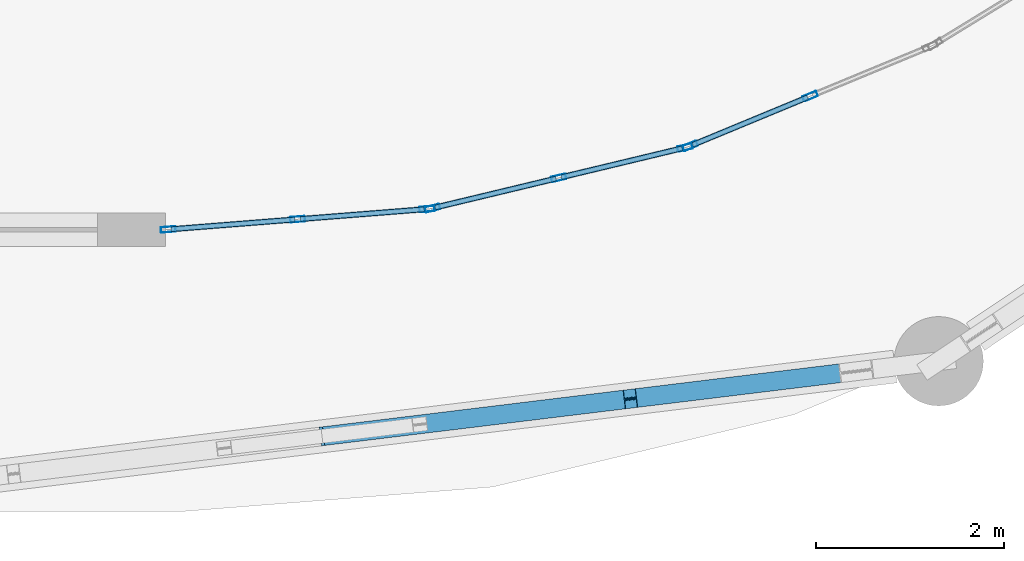
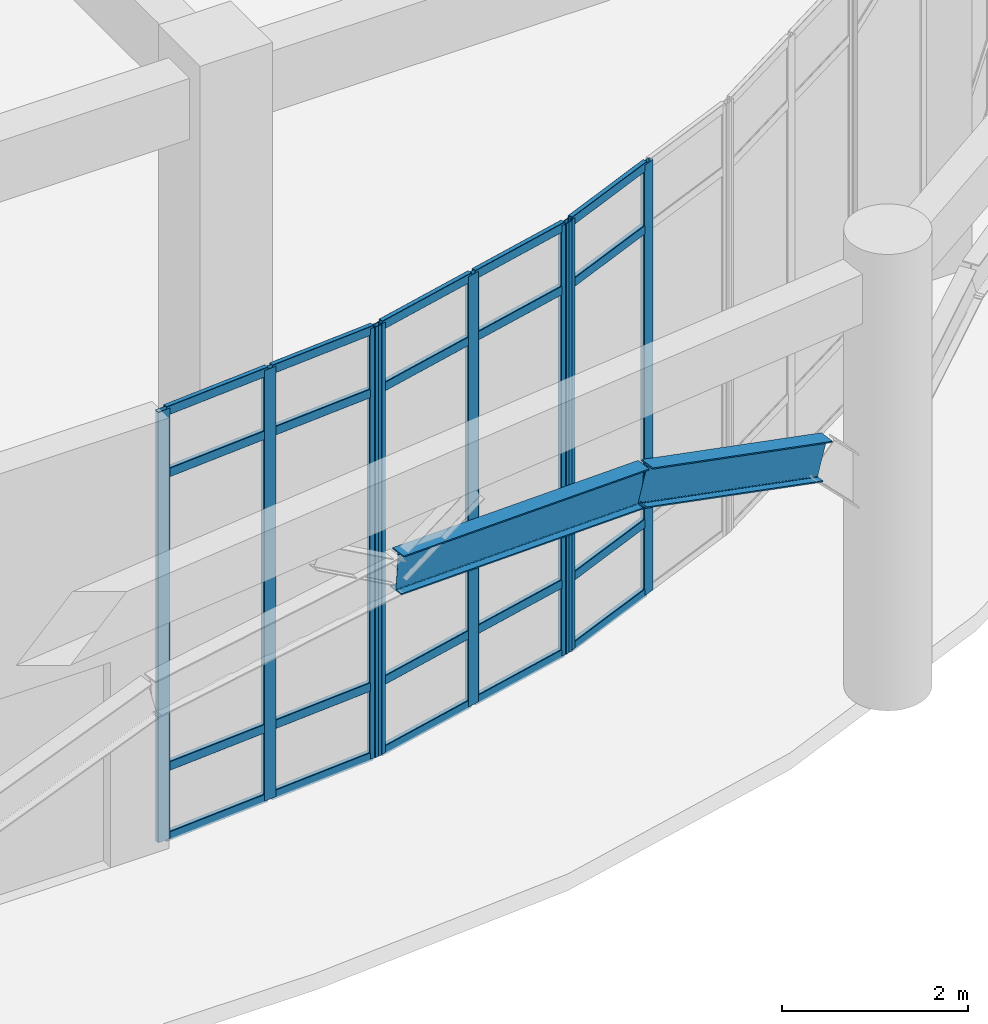
# One storey, part 27 of 82: 28 members, 2 beams, 3 elements without a shape of their own.
"""IFC4 building model written with IfcOpenShell, lengths in metres."""

from ifc_helpers import new_model, si_unit, derived_unit, direction, frame, origin, origin_2d, place, context, subcontext, project, spatial, hollow_rectangle, i_section, extrude, material, layer, layer_set, material_profile, profile_set, type_object, element, aggregate, save


model = new_model("IFC4")

# Units and contexts
model_context = context("Model", 3, precision=1e-05, world=origin(), true_north=direction((0.0, 1.0)))
body_context = subcontext(model_context, "Body", "Model", "MODEL_VIEW")
ifc_project = project(units=[si_unit("LENGTHUNIT", "METRE"), si_unit("AREAUNIT", "SQUARE_METRE"), si_unit("VOLUMEUNIT", "CUBIC_METRE"), si_unit("PLANEANGLEUNIT", "RADIAN"), si_unit("MASSUNIT", "GRAM", prefix="KILO"), derived_unit("THERMALTRANSMITTANCEUNIT", [(si_unit("MASSUNIT", "GRAM", prefix="KILO"), 1), (si_unit("TIMEUNIT", "SECOND"), -3), (si_unit("THERMODYNAMICTEMPERATUREUNIT", "KELVIN"), -1)])], contexts=[model_context])

# Site, building, storey
site_placement = place(None, origin())
site = spatial("IfcSite", under=ifc_project, at=site_placement, CompositionType="ELEMENT")
building_placement = place(site_placement, origin())
building = spatial("IfcBuilding", under=site, at=building_placement, Name="Qinzheling Arcade Emporium", CompositionType="ELEMENT")
storey_placement = place(building_placement, origin())
storey = spatial("IfcBuildingStorey", under=building, at=storey_placement, Name="L01", CompositionType="ELEMENT", Elevation=0.0)

# Beams
ifc_material_1 = material(Name="Weathering steel Q355NH", Category="steel")
ifc_material_profile_1 = material_profile(ifc_material_1, i_section(OverallWidth=0.199951171875, OverallDepth=0.5, WebThickness=0.010009765625, FlangeThickness=0.01611328125, FilletRadius=0.01806640625, at=origin_2d()), Name="HN 500x200x10x16", Category="steel")
ifc_profile_set_1 = profile_set([ifc_material_profile_1], Name="Weathering steel Q355NH")
beam_type = type_object("IfcBeamType", Name="Arcade End Arch Rib HN500 Q355NH", PredefinedType="BEAM", material=ifc_profile_set_1)
beam_1_placement = place(storey_placement, frame((154.468017578125, 0.799072265625, 4.284912109375), z_axis=(0.989958565699, 0.120552533686, -0.073818187599), x_axis=(-0.120882335048, 0.99266684294, 0.0)))
element("IfcBeam", 1, at=beam_1_placement, inside=storey, type_object=beam_type, Name="Curved Arcade Entrance Arch ARC-L01-CV4-B01-C04", PredefinedType="BEAM", context=body_context, shape_type="SweptSolid", body=[
    extrude(i_section(OverallWidth=0.199951171875, OverallDepth=0.5, WebThickness=0.010009765625, FlangeThickness=0.01611328125, FilletRadius=0.01806640625, at=origin_2d()), origin(), (0.0, 0.0, 1.0), 3.317138671875),
])
beam_2_placement = place(storey_placement, frame((157.751953125, 1.198974609375, 4.0400390625), z_axis=(0.956925877646, 0.116615319709, -0.265882928937), x_axis=(-0.120969580346, 0.992656214724, 0.0)))
element("IfcBeam", 2, at=beam_2_placement, inside=storey, type_object=beam_type, Name="Curved Arcade Entrance Arch ARC-L01-CV4-B01-C05", PredefinedType="BEAM", context=body_context, shape_type="SweptSolid", body=[
    extrude(i_section(OverallWidth=0.199951171875, OverallDepth=0.5, WebThickness=0.010009765625, FlangeThickness=0.01611328125, FilletRadius=0.01806640625, at=origin_2d()), origin(), (0.0, 0.0, 1.0), 2.51220703125),
])

# Curtain wall, members
ifc_material_2 = material(Name="Anodised aluminium and solar-control double glazing", Category="aluminium")
ifc_layer_1 = layer(ifc_material_2, 0.159912109375, Name="Anodised aluminium and solar-control double glazing", Category="aluminium")
ifc_layer_set_1 = layer_set([ifc_layer_1], Name="Anodised aluminium and solar-control double glazing")
curtain_wall_type_1 = type_object("IfcCurtainWallType", Name="Curved Ribbon Sales Curtain Wall", PredefinedType="NOTDEFINED", material=ifc_layer_set_1)
curtain_wall_1_placement = place(storey_placement, origin())
curtain_wall_1 = element("IfcCurtainWall", 3, at=curtain_wall_1_placement, inside=storey, type_object=curtain_wall_type_1, Name="Curtain Wall CW-L01-007", PredefinedType="NOTDEFINED")
ifc_material_3 = material(Name="Anodised aluminium 6063-T6", Category="aluminium")
ifc_material_profile_2 = material_profile(ifc_material_3, hollow_rectangle(XDim=0.06005859375, YDim=0.159912109375, WallThickness=0.00390625, InnerFilletRadius=0.00390625, OuterFilletRadius=0.008056640625, at=origin_2d()), Name="RHS 160x60x4", Category="aluminium")
ifc_profile_set_2 = profile_set([ifc_material_profile_2], Name="Anodised aluminium 6063-T6")
member_type_1 = type_object("IfcMemberType", Name="Curtain Wall Mullion RHS160x60", PredefinedType="MULLION", material=ifc_profile_set_2)
member_1_placement = place(storey_placement, frame((159.6669921875, 4.42138671875, 0.0), z_axis=(0.0, 0.0, 1.0), x_axis=(0.382654004198, -0.923891721508, 0.0)))
member_1 = element("IfcMember", 4, at=member_1_placement, type_object=member_type_1, Name="CW02 mullion 2", PredefinedType="MULLION", context=body_context, shape_type="SweptSolid", body=[
    extrude(hollow_rectangle(XDim=0.06005859375, YDim=0.159912109375, WallThickness=0.00390625, InnerFilletRadius=0.00390625, OuterFilletRadius=0.008056640625, at=origin_2d()), origin(), (0.0, 0.0, 1.0), 5.659912109375),
])
member_2_placement = place(storey_placement, frame((158.3896484375, 3.892578125, 0.0), z_axis=(0.0, 0.0, 1.0), x_axis=(0.382654004198, -0.923891721508, 0.0)))
member_2 = element("IfcMember", 5, at=member_2_placement, type_object=member_type_1, Name="CW02 mullion 3", PredefinedType="MULLION", context=body_context, shape_type="SweptSolid", body=[
    extrude(hollow_rectangle(XDim=0.06005859375, YDim=0.159912109375, WallThickness=0.00390625, InnerFilletRadius=0.00390625, OuterFilletRadius=0.008056640625, at=origin_2d()), origin(), (0.0, 0.0, 1.0), 5.659912109375),
])

curtain_wall_2_placement = place(storey_placement, origin())
curtain_wall_2 = element("IfcCurtainWall", 6, at=curtain_wall_2_placement, inside=storey, type_object=curtain_wall_type_1, Name="Curtain Wall CW-L01-008", PredefinedType="NOTDEFINED")
member_3_placement = place(storey_placement, frame((158.332763671875, 3.8740234375, 0.0), z_axis=(0.0, 0.0, 1.0), x_axis=(0.233359559423, -0.972390516216, 0.0)))
member_3 = element("IfcMember", 7, at=member_3_placement, type_object=member_type_1, Name="CW02 mullion 1", PredefinedType="MULLION", context=body_context, shape_type="SweptSolid", body=[
    extrude(hollow_rectangle(XDim=0.06005859375, YDim=0.159912109375, WallThickness=0.00390625, InnerFilletRadius=0.00390625, OuterFilletRadius=0.008056640625, at=origin_2d()), origin(), (0.0, 0.0, 1.0), 5.659912109375),
])
member_4_placement = place(storey_placement, frame((156.989013671875, 3.551513671875, 0.0), z_axis=(0.0, 0.0, 1.0), x_axis=(0.233359559423, -0.972390516216, 0.0)))
member_4 = element("IfcMember", 8, at=member_4_placement, type_object=member_type_1, Name="CW02 mullion 2", PredefinedType="MULLION", context=body_context, shape_type="SweptSolid", body=[
    extrude(hollow_rectangle(XDim=0.06005859375, YDim=0.159912109375, WallThickness=0.00390625, InnerFilletRadius=0.00390625, OuterFilletRadius=0.008056640625, at=origin_2d()), origin(), (0.0, 0.0, 1.0), 5.659912109375),
])
member_5_placement = place(storey_placement, frame((155.645263671875, 3.22900390625, 0.0), z_axis=(0.0, 0.0, 1.0), x_axis=(0.233359559423, -0.972390516216, 0.0)))
member_5 = element("IfcMember", 9, at=member_5_placement, type_object=member_type_1, Name="CW02 mullion 3", PredefinedType="MULLION", context=body_context, shape_type="SweptSolid", body=[
    extrude(hollow_rectangle(XDim=0.06005859375, YDim=0.159912109375, WallThickness=0.00390625, InnerFilletRadius=0.00390625, OuterFilletRadius=0.008056640625, at=origin_2d()), origin(), (0.0, 0.0, 1.0), 5.659912109375),
])

ifc_layer_2 = layer(ifc_material_2, 0.159912109375, Name="Anodised aluminium and solar-control double glazing", Category="aluminium")
ifc_layer_set_2 = layer_set([ifc_layer_2], Name="Anodised aluminium and solar-control double glazing")
curtain_wall_type_2 = type_object("IfcCurtainWallType", Name="Food Hall Loggia Curtain Wall", PredefinedType="NOTDEFINED", material=ifc_layer_set_2)
curtain_wall_3_placement = place(storey_placement, origin())
curtain_wall_3 = element("IfcCurtainWall", 10, at=curtain_wall_3_placement, inside=storey, type_object=curtain_wall_type_2, Name="Curtain Wall CW-L01-009", PredefinedType="NOTDEFINED")
member_6_placement = place(storey_placement, frame((155.586181640625, 3.2197265625, 0.0), z_axis=(0.0, 0.0, 1.0), x_axis=(0.078591383114, -0.996906913659, 0.0)))
member_6 = element("IfcMember", 11, at=member_6_placement, type_object=member_type_1, Name="CW04 mullion 1", PredefinedType="MULLION", context=body_context, shape_type="SweptSolid", body=[
    extrude(hollow_rectangle(XDim=0.06005859375, YDim=0.159912109375, WallThickness=0.00390625, InnerFilletRadius=0.00390625, OuterFilletRadius=0.008056640625, at=origin_2d()), origin(), (0.0, 0.0, 1.0), 5.659912109375),
])
member_7_placement = place(storey_placement, frame((154.2080078125, 3.111083984375, 0.0), z_axis=(0.0, 0.0, 1.0), x_axis=(0.078591383114, -0.996906913659, 0.0)))
member_7 = element("IfcMember", 12, at=member_7_placement, type_object=member_type_1, Name="CW04 mullion 2", PredefinedType="MULLION", context=body_context, shape_type="SweptSolid", body=[
    extrude(hollow_rectangle(XDim=0.06005859375, YDim=0.159912109375, WallThickness=0.00390625, InnerFilletRadius=0.00390625, OuterFilletRadius=0.008056640625, at=origin_2d()), origin(), (0.0, 0.0, 1.0), 5.659912109375),
])
member_8_placement = place(storey_placement, frame((152.829833984375, 3.00244140625, 0.0), z_axis=(0.0, 0.0, 1.0), x_axis=(0.078591383114, -0.996906913659, 0.0)))
member_8 = element("IfcMember", 13, at=member_8_placement, type_object=member_type_1, Name="CW04 mullion 3", PredefinedType="MULLION", context=body_context, shape_type="SweptSolid", body=[
    extrude(hollow_rectangle(XDim=0.06005859375, YDim=0.159912109375, WallThickness=0.00390625, InnerFilletRadius=0.00390625, OuterFilletRadius=0.008056640625, at=origin_2d()), origin(), (0.0, 0.0, 1.0), 5.659912109375),
])

# Member
ifc_material_profile_3 = material_profile(ifc_material_3, hollow_rectangle(XDim=0.06005859375, YDim=0.1201171875, WallThickness=0.00390625, InnerFilletRadius=0.00390625, OuterFilletRadius=0.008056640625, at=origin_2d()), Name="RHS 120x60x4", Category="aluminium")
ifc_profile_set_3 = profile_set([ifc_material_profile_3], Name="Anodised aluminium 6063-T6")
member_type_2 = type_object("IfcMemberType", Name="Curtain Wall Transom RHS120x60", PredefinedType="USERDEFINED", material=ifc_profile_set_3)
member_9_placement = place(storey_placement, frame((159.639404296875, 4.409912109375, 0.030029296875), z_axis=(-0.923953847635, -0.38250397049, 0.0), x_axis=(0.38250397049, -0.923953847635, 0.0)))
member_9 = element("IfcMember", 14, at=member_9_placement, type_object=member_type_2, Name="CW02 transom 2.1", ObjectType="TRANSOM", PredefinedType="USERDEFINED", context=body_context, shape_type="SweptSolid", body=[
    extrude(hollow_rectangle(XDim=0.06005859375, YDim=0.1201171875, WallThickness=0.00390625, InnerFilletRadius=0.00390625, OuterFilletRadius=0.008056640625, at=origin_2d()), origin(), (0.0, 0.0, 1.0), 1.322509765625),
])

member_10_placement = place(storey_placement, frame((159.639404296875, 4.409912109375, 0.949951171875), z_axis=(-0.923953847635, -0.38250397049, 0.0), x_axis=(0.38250397049, -0.923953847635, 0.0)))
member_10 = element("IfcMember", 15, at=member_10_placement, type_object=member_type_2, Name="CW02 transom 2.2", ObjectType="TRANSOM", PredefinedType="USERDEFINED", context=body_context, shape_type="SweptSolid", body=[
    extrude(hollow_rectangle(XDim=0.06005859375, YDim=0.1201171875, WallThickness=0.00390625, InnerFilletRadius=0.00390625, OuterFilletRadius=0.008056640625, at=origin_2d()), origin(), (0.0, 0.0, 1.0), 1.322509765625),
])

member_11_placement = place(storey_placement, frame((159.639404296875, 4.409912109375, 4.81005859375), z_axis=(-0.923953847635, -0.38250397049, 0.0), x_axis=(0.38250397049, -0.923953847635, 0.0)))
member_11 = element("IfcMember", 16, at=member_11_placement, type_object=member_type_2, Name="CW02 transom 2.3", ObjectType="TRANSOM", PredefinedType="USERDEFINED", context=body_context, shape_type="SweptSolid", body=[
    extrude(hollow_rectangle(XDim=0.06005859375, YDim=0.1201171875, WallThickness=0.00390625, InnerFilletRadius=0.00390625, OuterFilletRadius=0.008056640625, at=origin_2d()), origin(), (0.0, 0.0, 1.0), 1.322509765625),
])

member_12_placement = place(storey_placement, frame((159.639404296875, 4.409912109375, 5.6298828125), z_axis=(-0.923953847635, -0.38250397049, 0.0), x_axis=(0.38250397049, -0.923953847635, 0.0)))
member_12 = element("IfcMember", 17, at=member_12_placement, type_object=member_type_2, Name="CW02 transom 2.4", ObjectType="TRANSOM", PredefinedType="USERDEFINED", context=body_context, shape_type="SweptSolid", body=[
    extrude(hollow_rectangle(XDim=0.06005859375, YDim=0.1201171875, WallThickness=0.00390625, InnerFilletRadius=0.00390625, OuterFilletRadius=0.008056640625, at=origin_2d()), origin(), (0.0, 0.0, 1.0), 1.322509765625),
])

aggregate(curtain_wall_1, [member_1, member_2, member_9, member_10, member_11, member_12])

member_13_placement = place(storey_placement, frame((158.3037109375, 3.866943359375, 0.030029296875), z_axis=(-0.972422490965, -0.233226282964, 0.0), x_axis=(0.233226282964, -0.972422490965, 0.0)))
member_13 = element("IfcMember", 18, at=member_13_placement, type_object=member_type_2, Name="CW02 transom 1.1", ObjectType="TRANSOM", PredefinedType="USERDEFINED", context=body_context, shape_type="SweptSolid", body=[
    extrude(hollow_rectangle(XDim=0.06005859375, YDim=0.1201171875, WallThickness=0.00390625, InnerFilletRadius=0.00390625, OuterFilletRadius=0.008056640625, at=origin_2d()), origin(), (0.0, 0.0, 1.0), 1.322021484375),
])

member_14_placement = place(storey_placement, frame((158.3037109375, 3.866943359375, 0.949951171875), z_axis=(-0.972422490965, -0.233226282964, 0.0), x_axis=(0.233226282964, -0.972422490965, 0.0)))
member_14 = element("IfcMember", 19, at=member_14_placement, type_object=member_type_2, Name="CW02 transom 1.2", ObjectType="TRANSOM", PredefinedType="USERDEFINED", context=body_context, shape_type="SweptSolid", body=[
    extrude(hollow_rectangle(XDim=0.06005859375, YDim=0.1201171875, WallThickness=0.00390625, InnerFilletRadius=0.00390625, OuterFilletRadius=0.008056640625, at=origin_2d()), origin(), (0.0, 0.0, 1.0), 1.322021484375),
])

member_15_placement = place(storey_placement, frame((158.3037109375, 3.866943359375, 4.81005859375), z_axis=(-0.972422490965, -0.233226282964, 0.0), x_axis=(0.233226282964, -0.972422490965, 0.0)))
member_15 = element("IfcMember", 20, at=member_15_placement, type_object=member_type_2, Name="CW02 transom 1.3", ObjectType="TRANSOM", PredefinedType="USERDEFINED", context=body_context, shape_type="SweptSolid", body=[
    extrude(hollow_rectangle(XDim=0.06005859375, YDim=0.1201171875, WallThickness=0.00390625, InnerFilletRadius=0.00390625, OuterFilletRadius=0.008056640625, at=origin_2d()), origin(), (0.0, 0.0, 1.0), 1.322021484375),
])

member_16_placement = place(storey_placement, frame((158.3037109375, 3.866943359375, 5.6298828125), z_axis=(-0.972422490965, -0.233226282964, 0.0), x_axis=(0.233226282964, -0.972422490965, 0.0)))
member_16 = element("IfcMember", 21, at=member_16_placement, type_object=member_type_2, Name="CW02 transom 1.4", ObjectType="TRANSOM", PredefinedType="USERDEFINED", context=body_context, shape_type="SweptSolid", body=[
    extrude(hollow_rectangle(XDim=0.06005859375, YDim=0.1201171875, WallThickness=0.00390625, InnerFilletRadius=0.00390625, OuterFilletRadius=0.008056640625, at=origin_2d()), origin(), (0.0, 0.0, 1.0), 1.322021484375),
])

member_17_placement = place(storey_placement, frame((156.959716796875, 3.54443359375, 0.030029296875), z_axis=(-0.97241244374, -0.233268170265, 0.0), x_axis=(0.233268170265, -0.97241244374, 0.0)))
member_17 = element("IfcMember", 22, at=member_17_placement, type_object=member_type_2, Name="CW02 transom 2.1", ObjectType="TRANSOM", PredefinedType="USERDEFINED", context=body_context, shape_type="SweptSolid", body=[
    extrude(hollow_rectangle(XDim=0.06005859375, YDim=0.1201171875, WallThickness=0.00390625, InnerFilletRadius=0.00390625, OuterFilletRadius=0.008056640625, at=origin_2d()), origin(), (0.0, 0.0, 1.0), 1.32177734375),
])

member_18_placement = place(storey_placement, frame((156.959716796875, 3.54443359375, 0.949951171875), z_axis=(-0.97241244374, -0.233268170265, 0.0), x_axis=(0.233268170265, -0.97241244374, 0.0)))
member_18 = element("IfcMember", 23, at=member_18_placement, type_object=member_type_2, Name="CW02 transom 2.2", ObjectType="TRANSOM", PredefinedType="USERDEFINED", context=body_context, shape_type="SweptSolid", body=[
    extrude(hollow_rectangle(XDim=0.06005859375, YDim=0.1201171875, WallThickness=0.00390625, InnerFilletRadius=0.00390625, OuterFilletRadius=0.008056640625, at=origin_2d()), origin(), (0.0, 0.0, 1.0), 1.32177734375),
])

member_19_placement = place(storey_placement, frame((156.959716796875, 3.54443359375, 4.81005859375), z_axis=(-0.97241244374, -0.233268170265, 0.0), x_axis=(0.233268170265, -0.97241244374, 0.0)))
member_19 = element("IfcMember", 24, at=member_19_placement, type_object=member_type_2, Name="CW02 transom 2.3", ObjectType="TRANSOM", PredefinedType="USERDEFINED", context=body_context, shape_type="SweptSolid", body=[
    extrude(hollow_rectangle(XDim=0.06005859375, YDim=0.1201171875, WallThickness=0.00390625, InnerFilletRadius=0.00390625, OuterFilletRadius=0.008056640625, at=origin_2d()), origin(), (0.0, 0.0, 1.0), 1.32177734375),
])

member_20_placement = place(storey_placement, frame((156.959716796875, 3.54443359375, 5.6298828125), z_axis=(-0.97241244374, -0.233268170265, 0.0), x_axis=(0.233268170265, -0.97241244374, 0.0)))
member_20 = element("IfcMember", 25, at=member_20_placement, type_object=member_type_2, Name="CW02 transom 2.4", ObjectType="TRANSOM", PredefinedType="USERDEFINED", context=body_context, shape_type="SweptSolid", body=[
    extrude(hollow_rectangle(XDim=0.06005859375, YDim=0.1201171875, WallThickness=0.00390625, InnerFilletRadius=0.00390625, OuterFilletRadius=0.008056640625, at=origin_2d()), origin(), (0.0, 0.0, 1.0), 1.32177734375),
])

aggregate(curtain_wall_2, [member_3, member_4, member_5, member_13, member_14, member_15, member_16, member_17, member_18, member_19, member_20])

member_21_placement = place(storey_placement, frame((155.55615234375, 3.21728515625, 0.030029296875), z_axis=(-0.996902720967, -0.078644547987, 0.0), x_axis=(0.078644547987, -0.996902720967, 0.0)))
member_21 = element("IfcMember", 26, at=member_21_placement, type_object=member_type_2, Name="CW04 transom 1.1", ObjectType="TRANSOM", PredefinedType="USERDEFINED", context=body_context, shape_type="SweptSolid", body=[
    extrude(hollow_rectangle(XDim=0.06005859375, YDim=0.1201171875, WallThickness=0.00390625, InnerFilletRadius=0.00390625, OuterFilletRadius=0.008056640625, at=origin_2d()), origin(), (0.0, 0.0, 1.0), 1.322509765625),
])

member_22_placement = place(storey_placement, frame((155.55615234375, 3.21728515625, 0.949951171875), z_axis=(-0.996902720967, -0.078644547987, 0.0), x_axis=(0.078644547987, -0.996902720967, 0.0)))
member_22 = element("IfcMember", 27, at=member_22_placement, type_object=member_type_2, Name="CW04 transom 1.2", ObjectType="TRANSOM", PredefinedType="USERDEFINED", context=body_context, shape_type="SweptSolid", body=[
    extrude(hollow_rectangle(XDim=0.06005859375, YDim=0.1201171875, WallThickness=0.00390625, InnerFilletRadius=0.00390625, OuterFilletRadius=0.008056640625, at=origin_2d()), origin(), (0.0, 0.0, 1.0), 1.322509765625),
])

member_23_placement = place(storey_placement, frame((155.55615234375, 3.21728515625, 4.81005859375), z_axis=(-0.996902720967, -0.078644547987, 0.0), x_axis=(0.078644547987, -0.996902720967, 0.0)))
member_23 = element("IfcMember", 28, at=member_23_placement, type_object=member_type_2, Name="CW04 transom 1.3", ObjectType="TRANSOM", PredefinedType="USERDEFINED", context=body_context, shape_type="SweptSolid", body=[
    extrude(hollow_rectangle(XDim=0.06005859375, YDim=0.1201171875, WallThickness=0.00390625, InnerFilletRadius=0.00390625, OuterFilletRadius=0.008056640625, at=origin_2d()), origin(), (0.0, 0.0, 1.0), 1.322509765625),
])

member_24_placement = place(storey_placement, frame((155.55615234375, 3.21728515625, 5.6298828125), z_axis=(-0.996902720967, -0.078644547987, 0.0), x_axis=(0.078644547987, -0.996902720967, 0.0)))
member_24 = element("IfcMember", 29, at=member_24_placement, type_object=member_type_2, Name="CW04 transom 1.4", ObjectType="TRANSOM", PredefinedType="USERDEFINED", context=body_context, shape_type="SweptSolid", body=[
    extrude(hollow_rectangle(XDim=0.06005859375, YDim=0.1201171875, WallThickness=0.00390625, InnerFilletRadius=0.00390625, OuterFilletRadius=0.008056640625, at=origin_2d()), origin(), (0.0, 0.0, 1.0), 1.322509765625),
])

member_25_placement = place(storey_placement, frame((154.177978515625, 3.108642578125, 0.030029296875), z_axis=(-0.996901578836, -0.078659024372, 0.0), x_axis=(0.078659024372, -0.996901578836, 0.0)))
member_25 = element("IfcMember", 30, at=member_25_placement, type_object=member_type_2, Name="CW04 transom 2.1", ObjectType="TRANSOM", PredefinedType="USERDEFINED", context=body_context, shape_type="SweptSolid", body=[
    extrude(hollow_rectangle(XDim=0.06005859375, YDim=0.1201171875, WallThickness=0.00390625, InnerFilletRadius=0.00390625, OuterFilletRadius=0.008056640625, at=origin_2d()), origin(), (0.0, 0.0, 1.0), 1.322265625),
])

member_26_placement = place(storey_placement, frame((154.177978515625, 3.108642578125, 0.949951171875), z_axis=(-0.996901578836, -0.078659024372, 0.0), x_axis=(0.078659024372, -0.996901578836, 0.0)))
member_26 = element("IfcMember", 31, at=member_26_placement, type_object=member_type_2, Name="CW04 transom 2.2", ObjectType="TRANSOM", PredefinedType="USERDEFINED", context=body_context, shape_type="SweptSolid", body=[
    extrude(hollow_rectangle(XDim=0.06005859375, YDim=0.1201171875, WallThickness=0.00390625, InnerFilletRadius=0.00390625, OuterFilletRadius=0.008056640625, at=origin_2d()), origin(), (0.0, 0.0, 1.0), 1.322265625),
])

member_27_placement = place(storey_placement, frame((154.177978515625, 3.108642578125, 4.81005859375), z_axis=(-0.996901578836, -0.078659024372, 0.0), x_axis=(0.078659024372, -0.996901578836, 0.0)))
member_27 = element("IfcMember", 32, at=member_27_placement, type_object=member_type_2, Name="CW04 transom 2.3", ObjectType="TRANSOM", PredefinedType="USERDEFINED", context=body_context, shape_type="SweptSolid", body=[
    extrude(hollow_rectangle(XDim=0.06005859375, YDim=0.1201171875, WallThickness=0.00390625, InnerFilletRadius=0.00390625, OuterFilletRadius=0.008056640625, at=origin_2d()), origin(), (0.0, 0.0, 1.0), 1.322265625),
])

member_28_placement = place(storey_placement, frame((154.177978515625, 3.108642578125, 5.6298828125), z_axis=(-0.996901578836, -0.078659024372, 0.0), x_axis=(0.078659024372, -0.996901578836, 0.0)))
member_28 = element("IfcMember", 33, at=member_28_placement, type_object=member_type_2, Name="CW04 transom 2.4", ObjectType="TRANSOM", PredefinedType="USERDEFINED", context=body_context, shape_type="SweptSolid", body=[
    extrude(hollow_rectangle(XDim=0.06005859375, YDim=0.1201171875, WallThickness=0.00390625, InnerFilletRadius=0.00390625, OuterFilletRadius=0.008056640625, at=origin_2d()), origin(), (0.0, 0.0, 1.0), 1.322265625),
])

aggregate(curtain_wall_3, [member_6, member_7, member_8, member_21, member_22, member_23, member_24, member_25, member_26, member_27, member_28])

save(model, "model.ifc")
